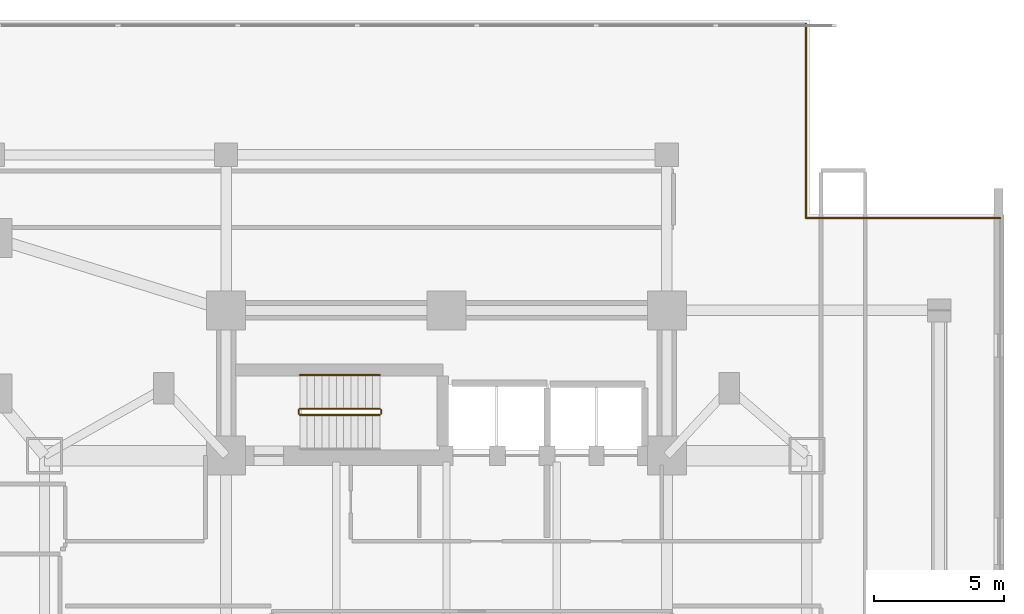
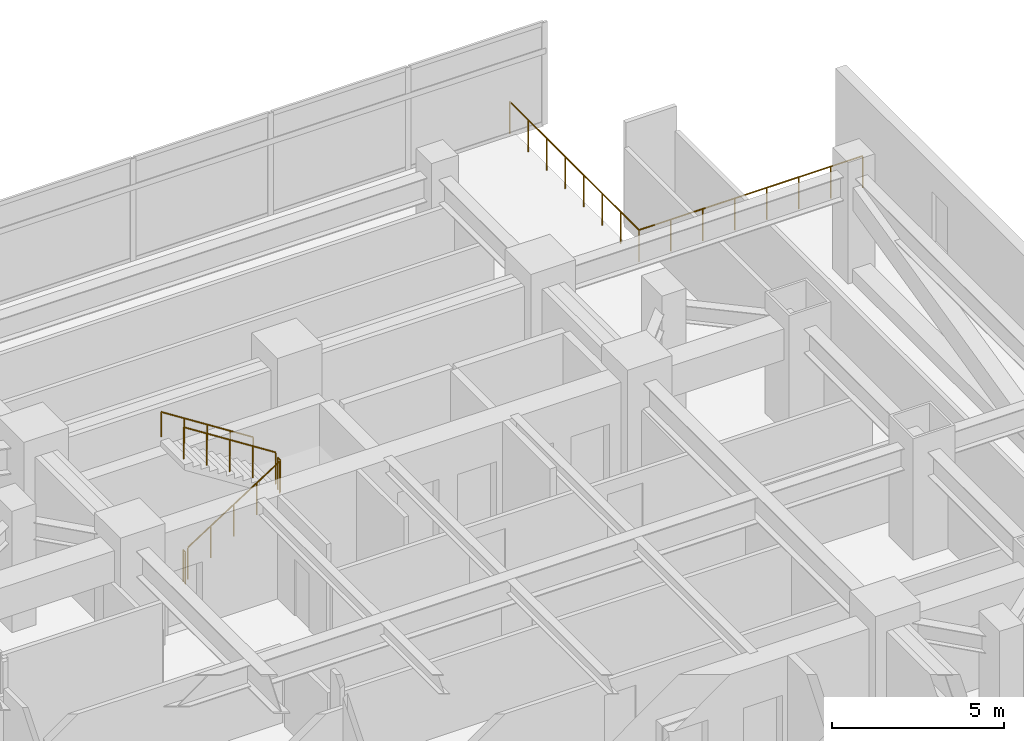
# One storey, part 27 of 27: 7 railings.
"""IFC4 building model written with IfcOpenShell, lengths in metres."""

from ifc_helpers import new_model, si_unit, direction, frame, origin, origin_2d, place, context, subcontext, project, spatial, circle, extrude, material, type_object, element, save


model = new_model("IFC4")

# Units and contexts
model_context = context("Model", 3, precision=1e-05, world=origin(), true_north=direction((0.0, 1.0)))
body_context = subcontext(model_context, "Body", "Model", "MODEL_VIEW")
ifc_project = project(units=[si_unit("LENGTHUNIT", "METRE"), si_unit("AREAUNIT", "SQUARE_METRE"), si_unit("VOLUMEUNIT", "CUBIC_METRE"), si_unit("PLANEANGLEUNIT", "RADIAN"), si_unit("MASSUNIT", "GRAM", prefix="KILO")], contexts=[model_context])

# Site, building, storey
site_placement = place(None, origin())
site = spatial("IfcSite", under=ifc_project, at=site_placement, CompositionType="ELEMENT")
building_placement = place(site_placement, origin())
building = spatial("IfcBuilding", under=site, at=building_placement, Name="Mirazonda Arch Towers", CompositionType="ELEMENT")
storey_placement = place(building_placement, frame((0.0, 0.0, 18.10009765625)))
storey = spatial("IfcBuildingStorey", under=building, at=storey_placement, Name="L04", CompositionType="ELEMENT", Elevation=18.10009765625)

# Railings
ifc_material = material(Name="Architectural Brushed Steel S355", Category="steel")
railing_type_1 = type_object("IfcRailingType", Name="GUARD-EXT-1150", PredefinedType="GUARDRAIL", material=ifc_material)
railing_1_placement = place(storey_placement, frame((97.860107421875, 44.360107421875, 0.0)))
element("IfcRailing", 1, at=railing_1_placement, inside=storey, type_object=railing_type_1, Name="L04 L04 Bridged Podium Perimeter Guard 05", PredefinedType="GUARDRAIL", context=body_context, shape_type="SweptSolid", body=[
    extrude(circle(Radius=0.02392578125, at=origin_2d()), frame((0.0, 0.0, 1.1259765625), z_axis=(-1.0, 0.0, 0.0), x_axis=(0.0, -1.0, 0.0)), (0.0, 0.0, 1.0), 7.5),
    extrude(circle(Radius=0.02099609375, at=origin_2d()), origin(), (0.0, 0.0, 1.0), 1.101806640625),
    extrude(circle(Radius=0.02099609375, at=origin_2d()), frame((-1.071533203125, 0.0, 0.0)), (0.0, 0.0, 1.0), 1.101806640625),
    extrude(circle(Radius=0.02099609375, at=origin_2d()), frame((-2.142822265625, 0.0, 0.0)), (0.0, 0.0, 1.0), 1.101806640625),
    extrude(circle(Radius=0.02099609375, at=origin_2d()), frame((-3.21435546875, 0.0, 0.0)), (0.0, 0.0, 1.0), 1.101806640625),
    extrude(circle(Radius=0.02099609375, at=origin_2d()), frame((-4.28564453125, 0.0, 0.0)), (0.0, 0.0, 1.0), 1.101806640625),
    extrude(circle(Radius=0.02099609375, at=origin_2d()), frame((-5.357177734375, 0.0, 0.0)), (0.0, 0.0, 1.0), 1.101806640625),
    extrude(circle(Radius=0.02099609375, at=origin_2d()), frame((-6.428466796875, 0.0, 0.0)), (0.0, 0.0, 1.0), 1.101806640625),
    extrude(circle(Radius=0.02099609375, at=origin_2d()), frame((-7.5, 0.0, 0.0)), (0.0, 0.0, 1.0), 1.101806640625),
])
railing_2_placement = place(storey_placement, frame((90.360107421875, 44.360107421875, 0.0)))
element("IfcRailing", 2, at=railing_2_placement, inside=storey, type_object=railing_type_1, Name="L04 L04 Bridged Podium Perimeter Guard 06", PredefinedType="GUARDRAIL", context=body_context, shape_type="SweptSolid", body=[
    extrude(circle(Radius=0.02392578125, at=origin_2d()), frame((0.0, 0.0, 1.1259765625), z_axis=(0.0, 1.0, 0.0), x_axis=(-1.0, 0.0, 0.0)), (0.0, 0.0, 1.0), 7.5),
    extrude(circle(Radius=0.02099609375, at=origin_2d()), origin(), (0.0, 0.0, 1.0), 1.101806640625),
    extrude(circle(Radius=0.02099609375, at=origin_2d()), frame((0.0, 1.071533203125, 0.0)), (0.0, 0.0, 1.0), 1.101806640625),
    extrude(circle(Radius=0.02099609375, at=origin_2d()), frame((0.0, 2.142822265625, 0.0)), (0.0, 0.0, 1.0), 1.101806640625),
    extrude(circle(Radius=0.02099609375, at=origin_2d()), frame((0.0, 3.21435546875, 0.0)), (0.0, 0.0, 1.0), 1.101806640625),
    extrude(circle(Radius=0.02099609375, at=origin_2d()), frame((0.0, 4.28564453125, 0.0)), (0.0, 0.0, 1.0), 1.101806640625),
    extrude(circle(Radius=0.02099609375, at=origin_2d()), frame((0.0, 5.357177734375, 0.0)), (0.0, 0.0, 1.0), 1.101806640625),
    extrude(circle(Radius=0.02099609375, at=origin_2d()), frame((0.0, 6.428466796875, 0.0)), (0.0, 0.0, 1.0), 1.101806640625),
    extrude(circle(Radius=0.02099609375, at=origin_2d()), frame((0.0, 7.5, 0.0)), (0.0, 0.0, 1.0), 1.101806640625),
])
railing_type_2 = type_object("IfcRailingType", Name="GUARD-STAIR-1120", PredefinedType="GUARDRAIL", material=ifc_material)
railing_3_placement = place(storey_placement, frame((70.85009765625, 36.77001953125, 0.178955078125)))
element("IfcRailing", 3, at=railing_3_placement, inside=storey, type_object=railing_type_2, Name="L04 ST-T2N stair guard 1", PredefinedType="GUARDRAIL", context=body_context, shape_type="SweptSolid", body=[
    extrude(circle(Radius=0.02392578125, at=origin_2d()), frame((0.0, 0.0, 1.1259765625), z_axis=(0.842289589211, 0.0, 0.539025275759), x_axis=(0.0, 1.0, 0.0)), (0.0, 0.0, 1.0), 3.656494140625),
    extrude(circle(Radius=0.02099609375, at=origin_2d()), origin(), (0.0, 0.0, 1.0), 1.101806640625),
    extrude(circle(Radius=0.02099609375, at=origin_2d()), frame((0.77001953125, 0.0, 0.49267578125)), (0.0, 0.0, 1.0), 1.101806640625),
    extrude(circle(Radius=0.02099609375, at=origin_2d()), frame((1.5400390625, 0.0, 0.9853515625)), (0.0, 0.0, 1.0), 1.101806640625),
    extrude(circle(Radius=0.02099609375, at=origin_2d()), frame((2.309814453125, 0.0, 1.478271484375)), (0.0, 0.0, 1.0), 1.101806640625),
    extrude(circle(Radius=0.02099609375, at=origin_2d()), frame((3.079833984375, 0.0, 1.970947265625)), (0.0, 0.0, 1.0), 1.101806640625),
])
railing_4_placement = place(storey_placement, frame((73.97998046875, 36.820068359375, 2.14990234375)))
element("IfcRailing", 4, at=railing_4_placement, inside=storey, type_object=railing_type_2, Name="L04 ST-T2N stair guard 2", PredefinedType="GUARDRAIL", context=body_context, shape_type="SweptSolid", body=[
    extrude(circle(Radius=0.02392578125, at=origin_2d()), frame((0.0, 0.0, 1.1259765625), z_axis=(0.0, 1.0, 0.0), x_axis=(-1.0, 0.0, 0.0)), (0.0, 0.0, 1.0), 0.139892578125),
    extrude(circle(Radius=0.02099609375, at=origin_2d()), origin(), (0.0, 0.0, 1.0), 1.101806640625),
    extrude(circle(Radius=0.02099609375, at=origin_2d()), frame((0.0, 0.139892578125, 0.0)), (0.0, 0.0, 1.0), 1.101806640625),
])
railing_5_placement = place(storey_placement, frame((73.929931640625, 37.010009765625, 2.3291015625)))
element("IfcRailing", 5, at=railing_5_placement, inside=storey, type_object=railing_type_2, Name="L04 ST-T2N stair guard 3", PredefinedType="GUARDRAIL", context=body_context, shape_type="SweptSolid", body=[
    extrude(circle(Radius=0.02392578125, at=origin_2d()), frame((0.0, 0.0, 1.1259765625), z_axis=(-0.842319903074, 0.0, 0.538977903893), x_axis=(0.0, -1.0, 0.0)), (0.0, 0.0, 1.0), 3.65625),
    extrude(circle(Radius=0.02099609375, at=origin_2d()), origin(), (0.0, 0.0, 1.0), 1.101806640625),
    extrude(circle(Radius=0.02099609375, at=origin_2d()), frame((-0.77001953125, 0.0, 0.49267578125)), (0.0, 0.0, 1.0), 1.101806640625),
    extrude(circle(Radius=0.02099609375, at=origin_2d()), frame((-1.5400390625, 0.0, 0.9853515625)), (0.0, 0.0, 1.0), 1.101806640625),
    extrude(circle(Radius=0.02099609375, at=origin_2d()), frame((-2.309814453125, 0.0, 1.47802734375)), (0.0, 0.0, 1.0), 1.101806640625),
    extrude(circle(Radius=0.02099609375, at=origin_2d()), frame((-3.079833984375, 0.0, 1.970703125)), (0.0, 0.0, 1.0), 1.101806640625),
])
railing_6_placement = place(storey_placement, frame((70.800048828125, 36.820068359375, 0.0)))
element("IfcRailing", 6, at=railing_6_placement, inside=storey, type_object=railing_type_2, Name="L04 ST-T2N stair guard 4", PredefinedType="GUARDRAIL", context=body_context, shape_type="SweptSolid", body=[
    extrude(circle(Radius=0.02392578125, at=origin_2d()), frame((0.0, 0.0, 1.1259765625), z_axis=(0.0, 1.0, 0.0), x_axis=(-1.0, 0.0, 0.0)), (0.0, 0.0, 1.0), 0.139892578125),
    extrude(circle(Radius=0.02099609375, at=origin_2d()), origin(), (0.0, 0.0, 1.0), 1.101806640625),
    extrude(circle(Radius=0.02099609375, at=origin_2d()), frame((0.0, 0.139892578125, 0.0)), (0.0, 0.0, 1.0), 1.101806640625),
])
railing_type_3 = type_object("IfcRailingType", Name="HANDRAIL-915", PredefinedType="HANDRAIL", material=ifc_material)
railing_7_placement = place(storey_placement, frame((73.929931640625, 38.31005859375, 2.3291015625)))
element("IfcRailing", 7, at=railing_7_placement, inside=storey, type_object=railing_type_3, Name="L04 ST-T2N stair handrail 2", PredefinedType="HANDRAIL", context=body_context, shape_type="SweptSolid", body=[
    extrude(circle(Radius=0.02392578125, at=origin_2d()), frame((0.0, 0.0, 0.8759765625), z_axis=(-0.842319903074, 0.0, 0.538977903893), x_axis=(0.0, -1.0, 0.0)), (0.0, 0.0, 1.0), 3.65625),
    extrude(circle(Radius=0.02099609375, at=origin_2d()), origin(), (0.0, 0.0, 1.0), 0.851806640625),
    extrude(circle(Radius=0.02099609375, at=origin_2d()), frame((-0.77001953125, 0.0, 0.49267578125)), (0.0, 0.0, 1.0), 0.851806640625),
    extrude(circle(Radius=0.02099609375, at=origin_2d()), frame((-1.5400390625, 0.0, 0.9853515625)), (0.0, 0.0, 1.0), 0.851806640625),
    extrude(circle(Radius=0.02099609375, at=origin_2d()), frame((-2.309814453125, 0.0, 1.47802734375)), (0.0, 0.0, 1.0), 0.851806640625),
    extrude(circle(Radius=0.02099609375, at=origin_2d()), frame((-3.079833984375, 0.0, 1.970703125)), (0.0, 0.0, 1.0), 0.851806640625),
])

save(model, "model.ifc")
